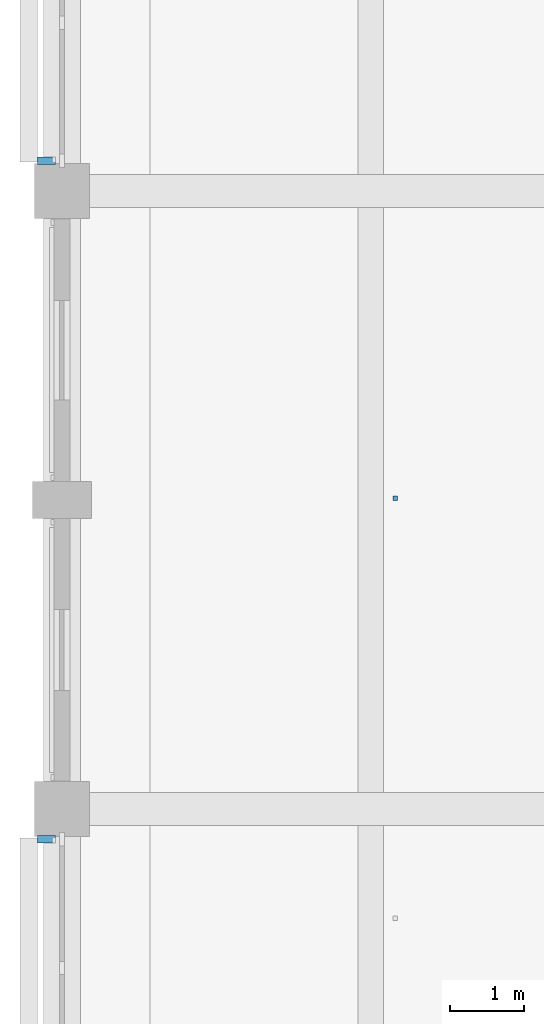
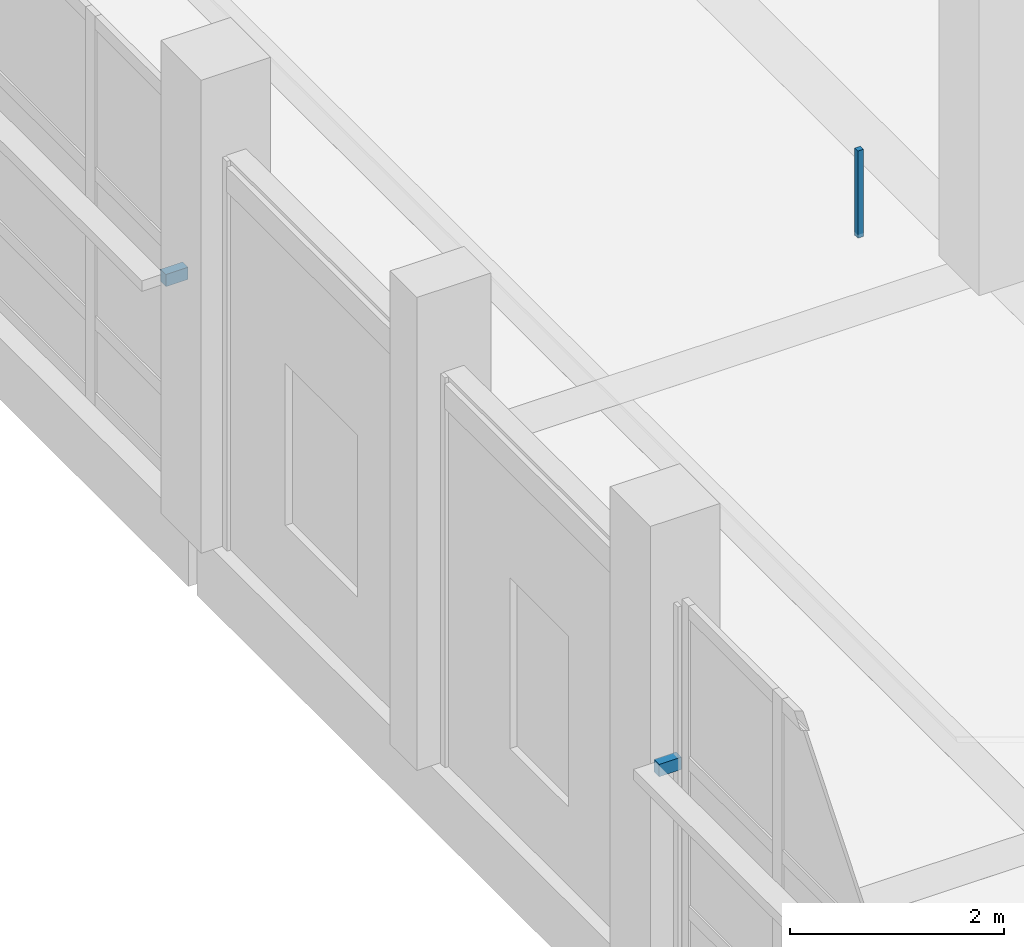
# One storey, part 72 of 140: 3 discrete accessories.
"""IFC4 building model written with IfcOpenShell, lengths in metres."""

from ifc_helpers import new_model, si_unit, direction, frame, origin, origin_2d, place, context, subcontext, project, spatial, rectangle, extrude, material, type_object, element, save


model = new_model("IFC4")

# Units and contexts
model_context = context("Model", 3, precision=1e-05, world=origin(), true_north=direction((0.0, 1.0)))
body_context = subcontext(model_context, "Body", "Model", "MODEL_VIEW")
ifc_project = project(units=[si_unit("LENGTHUNIT", "METRE"), si_unit("AREAUNIT", "SQUARE_METRE"), si_unit("VOLUMEUNIT", "CUBIC_METRE"), si_unit("PLANEANGLEUNIT", "RADIAN"), si_unit("MASSUNIT", "GRAM", prefix="KILO")], contexts=[model_context])

# Site, building, storey
site_placement = place(None, origin())
site = spatial("IfcSite", under=ifc_project, at=site_placement, CompositionType="ELEMENT")
building_placement = place(site_placement, origin())
building = spatial("IfcBuilding", under=site, at=building_placement, Name="Telukmera Botanical Conservatory", CompositionType="ELEMENT")
storey_placement = place(building_placement, origin())
storey = spatial("IfcBuildingStorey", under=building, at=storey_placement, Name="L00", CompositionType="ELEMENT", Elevation=0.0)

# Discrete accessories
ifc_material = material(Name="Steel S355", Category="steel")
discrete_accessory_type_1 = type_object("IfcDiscreteAccessoryType", Name="ACC-CEIL-HGR", PredefinedType="BRACKET", material=ifc_material)
discrete_accessory_placement = place(storey_placement, frame((12.93408203125, 30.22509765625, 4.2099609375), z_axis=(0.0, 0.0, 1.0), x_axis=(1.0, 0.0, 0.0)))
element("IfcDiscreteAccessory", 1, at=discrete_accessory_placement, inside=storey, type_object=discrete_accessory_type_1, Name="L00 Suspended Ceiling Hanger Rod 010-2", PredefinedType="BRACKET", context=body_context, shape_type="SweptSolid", body=[
    extrude(rectangle(XDim=0.06005859375, YDim=0.06005859375, at=origin_2d()), origin(), (0.0, 0.0, 1.0), 0.9951171875),
])
discrete_accessory_type_2 = type_object("IfcDiscreteAccessoryType", Name="Structural Steel Facade Outrigger Fin Bracket", PredefinedType="BRACKET", material=ifc_material)
for number, where, z_axis, x_axis, name in (
    (2, (8.18994140625, 25.587890625, 2.580078125), (0.0, 0.0, 1.0), (0.0, 1.0, 0.0), "Facade Outrigger Bracket V3:L00:W1B B"),
    (3, (8.18994140625, 34.81201171875, 2.580078125), (0.0, 0.0, 1.0), (0.0, 1.0, 0.0), "Facade Outrigger Bracket V3:L00:W3 A"),
):
    element("IfcDiscreteAccessory", number, at=place(storey_placement, frame(where, z_axis=z_axis, x_axis=x_axis)), inside=storey, type_object=discrete_accessory_type_2, Name=name, PredefinedType="BRACKET", context=body_context, shape_type="SweptSolid", body=[
        extrude(rectangle(XDim=0.10009765625, YDim=0.239990234375, at=origin_2d()), origin(), (0.0, 0.0, 1.0), 0.139892578125),
    ])

save(model, "model.ifc")
